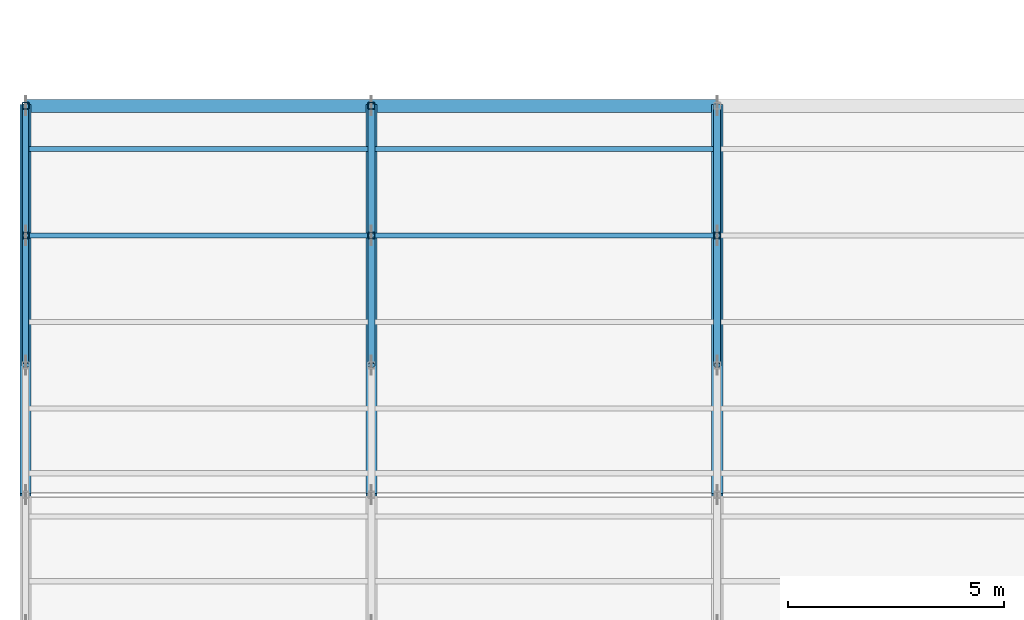
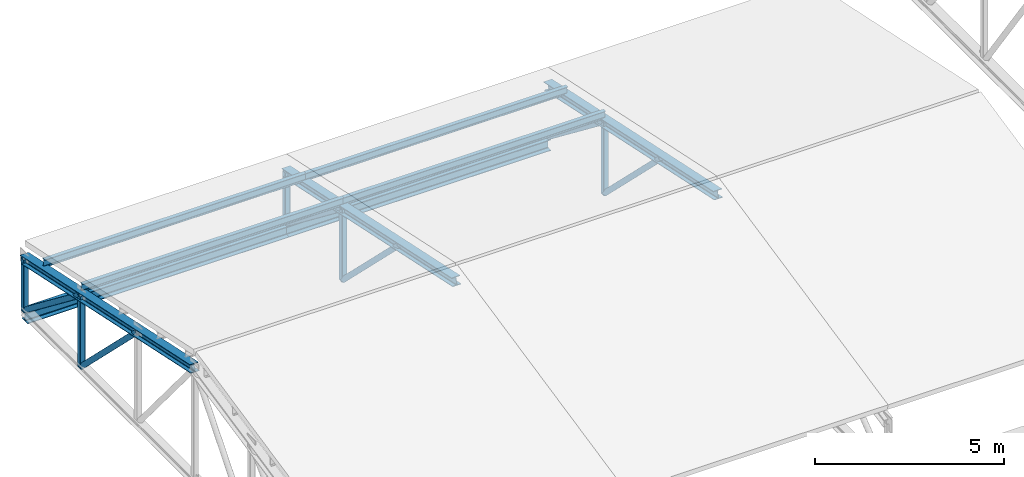
# One storey, part 4 of 43: 18 members, 2 beams.
"""IFC4 building model written with IfcOpenShell, lengths in metres."""

import ifcopenshell
import ifcopenshell.guid

model = None  # the IFC model being written
_history = None  # IfcOwnerHistory: only IFC2X3 demands one
_inside = {}  # id of a spatial element -> (the spatial element, [elements in it])
_under = {}  # id of a project, library or spatial element -> (it, [spatial elements below it])
_declared = {}  # id of a project -> (the project, [libraries it declares])
_typed = {}  # id of a type object -> (the type object, [elements of that type])
_made_of = {}  # id of a material, layer set ... -> (it, [elements and type objects made of it])


def new_model(schema):
    """Start an empty IFC model of exactly this schema.

    Asked for "IFC4X3", IfcOpenShell would pick the latest addendum, in which some entities
    have other attributes; the version numbers below select the first issue.
    IFC2X3 requires an IfcOwnerHistory on every rooted entity: one is made here for all.
    """
    global model, _history
    if schema == "IFC4X3":
        model = ifcopenshell.file(schema_version=(4, 3, 0, 0))
    else:
        model = ifcopenshell.file(schema=schema)
    _inside.clear()
    _under.clear()
    _declared.clear()
    _typed.clear()
    _made_of.clear()
    _history = None
    if model.schema == "IFC2X3":
        org = make("IfcOrganization", Name="unknown")
        user = make(
            "IfcPersonAndOrganization",
            ThePerson=make("IfcPerson", FamilyName="unknown"),
            TheOrganization=org,
        )
        app = make(
            "IfcApplication",
            ApplicationDeveloper=org,
            Version="unknown",
            ApplicationFullName="unknown",
            ApplicationIdentifier="unknown",
        )
        _history = make(
            "IfcOwnerHistory",
            OwningUser=user,
            OwningApplication=app,
            ChangeAction="ADDED",
            CreationDate=0,
        )
    return model


def make(cls, **values):
    """One entity of the class cls with the attributes given. An attribute that is None is left unset."""
    return model.create_entity(
        cls, **{name: value for name, value in values.items() if value is not None}
    )


def rooted(cls, **values):
    """An entity with a GlobalId (a new one), such as an element, a storey or a relation."""
    return make(cls, GlobalId=ifcopenshell.guid.new(), OwnerHistory=_history, **values)


def si_unit(unit_type, name, prefix=None):
    """IfcSIUnit, for example si_unit("LENGTHUNIT", "METRE", prefix="MILLI")."""
    return make("IfcSIUnit", UnitType=unit_type, Prefix=prefix, Name=name)


def assignment(units):
    """IfcUnitAssignment: the units of a project."""
    return None if units is None else make("IfcUnitAssignment", Units=units)


def point(xyz):
    """IfcCartesianPoint."""
    return None if xyz is None else make("IfcCartesianPoint", Coordinates=xyz)


def direction(xyz):
    """IfcDirection."""
    return None if xyz is None else make("IfcDirection", DirectionRatios=xyz)


def frame(location, z_axis=None, x_axis=None):
    """IfcAxis2Placement3D, a coordinate frame: its origin and axes. An axis left out is left unset."""
    return make(
        "IfcAxis2Placement3D",
        Location=point(location),
        Axis=direction(z_axis),
        RefDirection=direction(x_axis),
    )


def frame_2d(location, x_axis=None):
    """IfcAxis2Placement2D, a coordinate frame in the plane: its origin and x axis."""
    return make(
        "IfcAxis2Placement2D", Location=point(location), RefDirection=direction(x_axis)
    )


def origin():
    """The frame at (0, 0, 0) with its axes left unset."""
    return frame((0.0, 0.0, 0.0))


def origin_2d():
    """The frame at (0, 0) in the plane with its x axis left unset."""
    return frame_2d((0.0, 0.0))


def place(relative_to, where):
    """IfcLocalPlacement: puts the frame where relative to a parent placement (None: the world)."""
    return make(
        "IfcLocalPlacement", PlacementRelTo=relative_to, RelativePlacement=where
    )


def context(
    kind, dimensions, precision=None, world=None, true_north=None, identifier=None
):
    """IfcGeometricRepresentationContext, for example the 3D "Model" context."""
    return make(
        "IfcGeometricRepresentationContext",
        ContextIdentifier=identifier,
        ContextType=kind,
        CoordinateSpaceDimension=dimensions,
        Precision=precision,
        WorldCoordinateSystem=world,
        TrueNorth=true_north,
    )


def subcontext(parent, identifier, kind, view, scale=None):
    """IfcGeometricRepresentationSubContext, for example "Body" below "Model"."""
    return make(
        "IfcGeometricRepresentationSubContext",
        ContextIdentifier=identifier,
        ContextType=kind,
        ParentContext=parent,
        TargetScale=scale,
        TargetView=view,
    )


def project(units=None, contexts=None):
    """IfcProject with its units and contexts."""
    return rooted(
        "IfcProject",
        Name="project",
        RepresentationContexts=contexts,
        UnitsInContext=assignment(units),
    )


def spatial(cls, under=None, at=None, **own):
    """A site, building, storey or space (cls), placed at a placement, below another one or the project."""
    s = rooted(cls, ObjectPlacement=at, **own)
    if under is not None:
        _under.setdefault(under.id(), (under, []))[1].append(s)
    return s


def profile(cls, at=None, kind="AREA", **sizes):
    """A parametric profile (cls). Its sizes go by their IFC names, for example OverallWidth=200.0."""
    return make(cls, ProfileType=kind, Position=at, **sizes)


def hollow_rectangle(**sizes):
    """IfcRectangleHollowProfileDef."""
    return profile("IfcRectangleHollowProfileDef", **sizes)


def hollow_circle(**sizes):
    """IfcCircleHollowProfileDef."""
    return profile("IfcCircleHollowProfileDef", **sizes)


def i_section(**sizes):
    """IfcIShapeProfileDef."""
    return profile("IfcIShapeProfileDef", **sizes)


def extrude(swept, where, along, depth):
    """IfcExtrudedAreaSolid: the profile swept, set in the frame where, extruded along a direction by depth."""
    return make(
        "IfcExtrudedAreaSolid",
        SweptArea=swept,
        Position=where,
        ExtrudedDirection=direction(along),
        Depth=depth,
    )


def shape(context_of_items, identifier, shape_type, items):
    """IfcShapeRepresentation: the items that make up one representation, for example the "Body"."""
    return make(
        "IfcShapeRepresentation",
        ContextOfItems=context_of_items,
        RepresentationIdentifier=identifier,
        RepresentationType=shape_type,
        Items=items,
    )


def material(Name=None, Category=None):
    """IfcMaterial."""
    return make("IfcMaterial", Name=Name, Category=Category)


def material_profile(
    of_material, cross_section, Name=None, Category=None, Priority=None
):
    """IfcMaterialProfile: a cross section and its material."""
    return make(
        "IfcMaterialProfile",
        Name=Name,
        Material=of_material,
        Profile=cross_section,
        Priority=Priority,
        Category=Category,
    )


def profile_set(profiles, Name=None, composite=None):
    """IfcMaterialProfileSet."""
    return make(
        "IfcMaterialProfileSet",
        Name=Name,
        MaterialProfiles=profiles,
        CompositeProfile=composite,
    )


def made_of(thing, what):
    """Note that an element or type object is made of a material, layer set ...; save() writes the relation."""
    if what is not None:
        _made_of.setdefault(what.id(), (what, []))[1].append(thing)
    return thing


def type_object(cls, material=None, **own):
    """A type object (cls), such as IfcWallType, which elements share."""
    return made_of(rooted(cls, **own), material)


def element(
    cls,
    number,
    at=None,
    inside=None,
    cuts=None,
    type_object=None,
    material=None,
    context=None,
    identifier="Body",
    shape_type=None,
    held_by="IfcProductDefinitionShape",
    body=None,
    shapes=None,
    **own,
):
    """One element of the class cls, such as IfcWall. Its Tag is "e" and its number.

    at: its placement. inside: the storey or other place that contains it. cuts: it is an
    opening in that element (IfcRelVoidsElement). A single representation is given by context,
    identifier, shape_type and body (its items); several are given by shapes. held_by: the class
    of the entity that holds the representations. save() writes the other relations.
    """
    e = rooted(cls, Tag="e%d" % number, ObjectPlacement=at, **own)
    if body is not None:
        shapes = [shape(context, identifier, shape_type, body)]
    if shapes is not None:
        e.Representation = make(held_by, Representations=shapes)
    if inside is not None:
        _inside.setdefault(inside.id(), (inside, []))[1].append(e)
    if cuts is not None:
        rooted(
            "IfcRelVoidsElement", RelatingBuildingElement=cuts, RelatedOpeningElement=e
        )
    if type_object is not None:
        _typed.setdefault(type_object.id(), (type_object, []))[1].append(e)
    return made_of(e, material)


def aggregate(whole, parts):
    """IfcRelAggregates: a whole, such as a stair, and the parts it consists of."""
    return rooted("IfcRelAggregates", RelatingObject=whole, RelatedObjects=parts)


def save(model, path):
    """Write the relations noted so far, then the file.

    IfcRelAggregates (storeys below a building ...), IfcRelContainedInSpatialStructure (elements
    in a storey), IfcRelDefinesByType, IfcRelAssociatesMaterial and IfcRelDeclares: one each for
    every whole, place, type object, material and project.
    """
    for whole, parts in _under.values():
        aggregate(whole, parts)
    for where, things in _inside.values():
        rooted(
            "IfcRelContainedInSpatialStructure",
            RelatedElements=things,
            RelatingStructure=where,
        )
    for kind, things in _typed.values():
        rooted("IfcRelDefinesByType", RelatedObjects=things, RelatingType=kind)
    for what, things in _made_of.values():
        rooted("IfcRelAssociatesMaterial", RelatedObjects=things, RelatingMaterial=what)
    for by, libraries in _declared.values():
        rooted("IfcRelDeclares", RelatingContext=by, RelatedDefinitions=libraries)
    model.write(path)


model = new_model("IFC4")

# Units and contexts
model_context = context("Model", 3, precision=1e-05, world=origin(), true_north=direction((0.0, 1.0)))
body_context = subcontext(model_context, "Body", "Model", "MODEL_VIEW")
ifc_project = project(units=[si_unit("LENGTHUNIT", "METRE"), si_unit("AREAUNIT", "SQUARE_METRE"), si_unit("VOLUMEUNIT", "CUBIC_METRE"), si_unit("PLANEANGLEUNIT", "RADIAN"), si_unit("MASSUNIT", "GRAM", prefix="KILO")], contexts=[model_context])

# Site, building, storey
site_placement = place(None, origin())
site = spatial("IfcSite", under=ifc_project, at=site_placement, CompositionType="ELEMENT")
building_placement = place(site_placement, origin())
building = spatial("IfcBuilding", under=site, at=building_placement, Name="Serraforn Aerial Cableway Station", CompositionType="ELEMENT")
storey_placement = place(building_placement, frame((0.0, 0.0, 18.300048828125)))
storey = spatial("IfcBuildingStorey", under=building, at=storey_placement, Name="RF", CompositionType="ELEMENT", Elevation=18.300048828125)

# Beams
ifc_material_1 = material(Name="Steel S355JR", Category="steel")
ifc_material_profile_1 = material_profile(ifc_material_1, i_section(OverallWidth=0.300048828125, OverallDepth=0.360107421875, WebThickness=0.010009765625, FlangeThickness=0.017578125, FilletRadius=0.027099609375, at=origin_2d()), Name="HEA 360")
ifc_profile_set_1 = profile_set([ifc_material_profile_1], Name="Steel S355JR")
beam_type = type_object("IfcBeamType", Name="BM-ST-HEA360", PredefinedType="BEAM", material=ifc_profile_set_1)
for number, where, z_axis, x_axis, name in (
    (1, (0.0, 36.0, -1.72998046875), (1.0, 0.0, 0.0), (0.0, 1.0, 0.0), "Belvedere Eave Girder N-1"),
    (2, (8.0, 36.0, -1.72998046875), (1.0, 0.0, 0.0), (0.0, 1.0, 0.0), "Belvedere Eave Girder N-2"),
):
    element("IfcBeam", number, at=place(storey_placement, frame(where, z_axis=z_axis, x_axis=x_axis)), inside=storey, type_object=beam_type, Name=name, PredefinedType="BEAM", context=body_context, shape_type="SweptSolid", body=[
        extrude(i_section(OverallWidth=0.300048828125, OverallDepth=0.360107421875, WebThickness=0.010009765625, FlangeThickness=0.017578125, FilletRadius=0.027099609375, at=origin_2d()), origin(), (0.0, 0.0, 1.0), 8.0),
    ])

# Members
ifc_material_2 = material(Name="Steel S355J2", Category="steel")
ifc_material_profile_2 = material_profile(ifc_material_2, hollow_circle(Radius=0.084228515625, WallThickness=0.008056640625, at=origin_2d()), Name="CHS 168.3x8.0")
ifc_profile_set_2 = profile_set([ifc_material_profile_2], Name="Steel S355J2")
member_type_1 = type_object("IfcMemberType", Name="MEM-DG-CHS168", PredefinedType="BRACE", material=ifc_profile_set_2)
member_1_placement = place(storey_placement, frame((0.0, 30.0, 1.404052734375), z_axis=(0.0, 0.712536491097, -0.701635053896), x_axis=(-1.0, 0.0, 0.0)))
element("IfcMember", 3, at=member_1_placement, inside=storey, type_object=member_type_1, Name="Belvedere Truss WT-01 Diagonal 5", PredefinedType="BRACE", context=body_context, shape_type="SweptSolid", body=[
    extrude(hollow_circle(Radius=0.084228515625, WallThickness=0.008056640625, at=origin_2d()), origin(), (0.0, 0.0, 1.0), 4.210205078125),
])
member_2_placement = place(storey_placement, frame((0.0, 33.0, 0.7666015625), z_axis=(0.0, 0.79148044328, -0.611194492699), x_axis=(-1.0, 0.0, 0.0)))
element("IfcMember", 4, at=member_2_placement, inside=storey, type_object=member_type_1, Name="Belvedere Truss WT-01 Diagonal 6", PredefinedType="BRACE", context=body_context, shape_type="SweptSolid", body=[
    extrude(hollow_circle(Radius=0.084228515625, WallThickness=0.008056640625, at=origin_2d()), origin(), (0.0, 0.0, 1.0), 3.790283203125),
])
member_3_placement = place(storey_placement, frame((8.0, 30.0, 1.404052734375), z_axis=(0.0, 0.712536491097, -0.701635053896), x_axis=(-1.0, 0.0, 0.0)))
element("IfcMember", 5, at=member_3_placement, inside=storey, type_object=member_type_1, Name="Belvedere Truss WT-02 Diagonal 5", PredefinedType="BRACE", context=body_context, shape_type="SweptSolid", body=[
    extrude(hollow_circle(Radius=0.084228515625, WallThickness=0.008056640625, at=origin_2d()), origin(), (0.0, 0.0, 1.0), 4.210205078125),
])
member_4_placement = place(storey_placement, frame((8.0, 33.0, 0.7666015625), z_axis=(0.0, 0.79148044328, -0.611194492699), x_axis=(-1.0, 0.0, 0.0)))
element("IfcMember", 6, at=member_4_placement, inside=storey, type_object=member_type_1, Name="Belvedere Truss WT-02 Diagonal 6", PredefinedType="BRACE", context=body_context, shape_type="SweptSolid", body=[
    extrude(hollow_circle(Radius=0.084228515625, WallThickness=0.008056640625, at=origin_2d()), origin(), (0.0, 0.0, 1.0), 3.790283203125),
])
member_5_placement = place(storey_placement, frame((16.0, 30.0, 1.404052734375), z_axis=(0.0, 0.712536491097, -0.701635053896), x_axis=(-1.0, 0.0, 0.0)))
element("IfcMember", 7, at=member_5_placement, inside=storey, type_object=member_type_1, Name="Belvedere Truss WT-03 Diagonal 5", PredefinedType="BRACE", context=body_context, shape_type="SweptSolid", body=[
    extrude(hollow_circle(Radius=0.084228515625, WallThickness=0.008056640625, at=origin_2d()), origin(), (0.0, 0.0, 1.0), 4.210205078125),
])
member_6_placement = place(storey_placement, frame((16.0, 33.0, 0.7666015625), z_axis=(0.0, 0.79148044328, -0.611194492699), x_axis=(-1.0, 0.0, 0.0)))
element("IfcMember", 8, at=member_6_placement, inside=storey, type_object=member_type_1, Name="Belvedere Truss WT-03 Diagonal 6", PredefinedType="BRACE", context=body_context, shape_type="SweptSolid", body=[
    extrude(hollow_circle(Radius=0.084228515625, WallThickness=0.008056640625, at=origin_2d()), origin(), (0.0, 0.0, 1.0), 3.790283203125),
])
ifc_material_profile_3 = material_profile(ifc_material_1, i_section(OverallWidth=0.1201171875, OverallDepth=0.239990234375, WebThickness=0.006103515625, FlangeThickness=0.009765625, FilletRadius=0.014892578125, at=origin_2d()), Name="IPE 240")
ifc_profile_set_3 = profile_set([ifc_material_profile_3], Name="Steel S355JR")
member_type_2 = type_object("IfcMemberType", Name="MEM-PR-IPE240", PredefinedType="PURLIN", material=ifc_profile_set_3)
for number, where, z_axis, x_axis, name in (
    (9, (0.0, 33.0, 1.010498046875), (1.0, 0.0, 0.0), (0.0, 1.0, 0.0), "Belvedere Roof Purlin 1-9"),
    (10, (0.0, 35.0, 0.58544921875), (1.0, 0.0, 0.0), (0.0, 1.0, 0.0), "Belvedere Roof Purlin 1-10"),
    (11, (8.0, 33.0, 1.010498046875), (1.0, 0.0, 0.0), (0.0, 1.0, 0.0), "Belvedere Roof Purlin 2-9"),
    (12, (8.0, 35.0, 0.58544921875), (1.0, 0.0, 0.0), (0.0, 1.0, 0.0), "Belvedere Roof Purlin 2-10"),
):
    element("IfcMember", number, at=place(storey_placement, frame(where, z_axis=z_axis, x_axis=x_axis)), inside=storey, type_object=member_type_2, Name=name, PredefinedType="PURLIN", context=body_context, shape_type="SweptSolid", body=[
        extrude(i_section(OverallWidth=0.1201171875, OverallDepth=0.239990234375, WebThickness=0.006103515625, FlangeThickness=0.009765625, FilletRadius=0.014892578125, at=origin_2d()), origin(), (0.0, 0.0, 1.0), 8.0),
    ])
ifc_material_profile_4 = material_profile(ifc_material_2, i_section(OverallWidth=0.260009765625, OverallDepth=0.260009765625, WebThickness=0.010009765625, FlangeThickness=0.017578125, FilletRadius=0.02392578125, at=origin_2d()), Name="HEB 260")
ifc_profile_set_4 = profile_set([ifc_material_profile_4], Name="Steel S355J2")
member_type_3 = type_object("IfcMemberType", Name="MEM-TC-HEB260", PredefinedType="CHORD", material=ifc_profile_set_4)
for number, where, z_axis, x_axis, name in (
    (13, (0.0, 27.0, 2.041748046875), (0.0, 0.978151297449, -0.207894298381), (-1.0, 0.0, 0.0), "Belvedere Truss WT-01 Top Chord 2"),
    (14, (8.0, 27.0, 2.041748046875), (0.0, 0.978151297449, -0.207894298381), (-1.0, 0.0, 0.0), "Belvedere Truss WT-02 Top Chord 2"),
    (15, (16.0, 27.0, 2.041748046875), (0.0, 0.978151297449, -0.207894298381), (-1.0, 0.0, 0.0), "Belvedere Truss WT-03 Top Chord 2"),
):
    element("IfcMember", number, at=place(storey_placement, frame(where, z_axis=z_axis, x_axis=x_axis)), inside=storey, type_object=member_type_3, Name=name, PredefinedType="CHORD", context=body_context, shape_type="SweptSolid", body=[
        extrude(i_section(OverallWidth=0.260009765625, OverallDepth=0.260009765625, WebThickness=0.010009765625, FlangeThickness=0.017578125, FilletRadius=0.02392578125, at=origin_2d()), origin(), (0.0, 0.0, 1.0), 9.200927734375),
    ])
ifc_material_profile_5 = material_profile(ifc_material_2, hollow_rectangle(XDim=0.159912109375, YDim=0.159912109375, WallThickness=0.008056640625, InnerFilletRadius=0.008056640625, OuterFilletRadius=0.01611328125, at=origin_2d()), Name="SHS 160x160x8.0")
ifc_profile_set_5 = profile_set([ifc_material_profile_5], Name="Steel S355J2")
member_type_4 = type_object("IfcMemberType", Name="MEM-VP-SHS160", PredefinedType="STRUT", material=ifc_profile_set_5)
member_7_placement = place(storey_placement, frame((0.0, 33.0, -1.56005859375), z_axis=(0.0, 0.0, 1.0), x_axis=(1.0, 0.0, 0.0)))
element("IfcMember", 16, at=member_7_placement, inside=storey, type_object=member_type_4, Name="Belvedere Truss WT-01 Post 6", PredefinedType="STRUT", context=body_context, shape_type="SweptSolid", body=[
    extrude(hollow_rectangle(XDim=0.159912109375, YDim=0.159912109375, WallThickness=0.008056640625, InnerFilletRadius=0.008056640625, OuterFilletRadius=0.01611328125, at=origin_2d()), origin(), (0.0, 0.0, 1.0), 2.336669921875),
])
member_8_placement = place(storey_placement, frame((0.0, 36.0, -1.56005859375), z_axis=(0.0, 0.0, 1.0), x_axis=(1.0, 0.0, 0.0)))
element("IfcMember", 17, at=member_8_placement, inside=storey, type_object=member_type_4, Name="Belvedere Truss WT-01 Post 7", PredefinedType="STRUT", context=body_context, shape_type="SweptSolid", body=[
    extrude(hollow_rectangle(XDim=0.159912109375, YDim=0.159912109375, WallThickness=0.008056640625, InnerFilletRadius=0.008056640625, OuterFilletRadius=0.01611328125, at=origin_2d()), origin(), (0.0, 0.0, 1.0), 1.698974609375),
])
member_9_placement = place(storey_placement, frame((8.0, 33.0, -1.56005859375), z_axis=(0.0, 0.0, 1.0), x_axis=(1.0, 0.0, 0.0)))
element("IfcMember", 18, at=member_9_placement, inside=storey, type_object=member_type_4, Name="Belvedere Truss WT-02 Post 6", PredefinedType="STRUT", context=body_context, shape_type="SweptSolid", body=[
    extrude(hollow_rectangle(XDim=0.159912109375, YDim=0.159912109375, WallThickness=0.008056640625, InnerFilletRadius=0.008056640625, OuterFilletRadius=0.01611328125, at=origin_2d()), origin(), (0.0, 0.0, 1.0), 2.336669921875),
])
member_10_placement = place(storey_placement, frame((8.0, 36.0, -1.56005859375), z_axis=(0.0, 0.0, 1.0), x_axis=(1.0, 0.0, 0.0)))
element("IfcMember", 19, at=member_10_placement, inside=storey, type_object=member_type_4, Name="Belvedere Truss WT-02 Post 7", PredefinedType="STRUT", context=body_context, shape_type="SweptSolid", body=[
    extrude(hollow_rectangle(XDim=0.159912109375, YDim=0.159912109375, WallThickness=0.008056640625, InnerFilletRadius=0.008056640625, OuterFilletRadius=0.01611328125, at=origin_2d()), origin(), (0.0, 0.0, 1.0), 1.698974609375),
])
member_11_placement = place(storey_placement, frame((16.0, 33.0, -1.56005859375), z_axis=(0.0, 0.0, 1.0), x_axis=(1.0, 0.0, 0.0)))
element("IfcMember", 20, at=member_11_placement, inside=storey, type_object=member_type_4, Name="Belvedere Truss WT-03 Post 6", PredefinedType="STRUT", context=body_context, shape_type="SweptSolid", body=[
    extrude(hollow_rectangle(XDim=0.159912109375, YDim=0.159912109375, WallThickness=0.008056640625, InnerFilletRadius=0.008056640625, OuterFilletRadius=0.01611328125, at=origin_2d()), origin(), (0.0, 0.0, 1.0), 2.336669921875),
])

save(model, "model.ifc")
